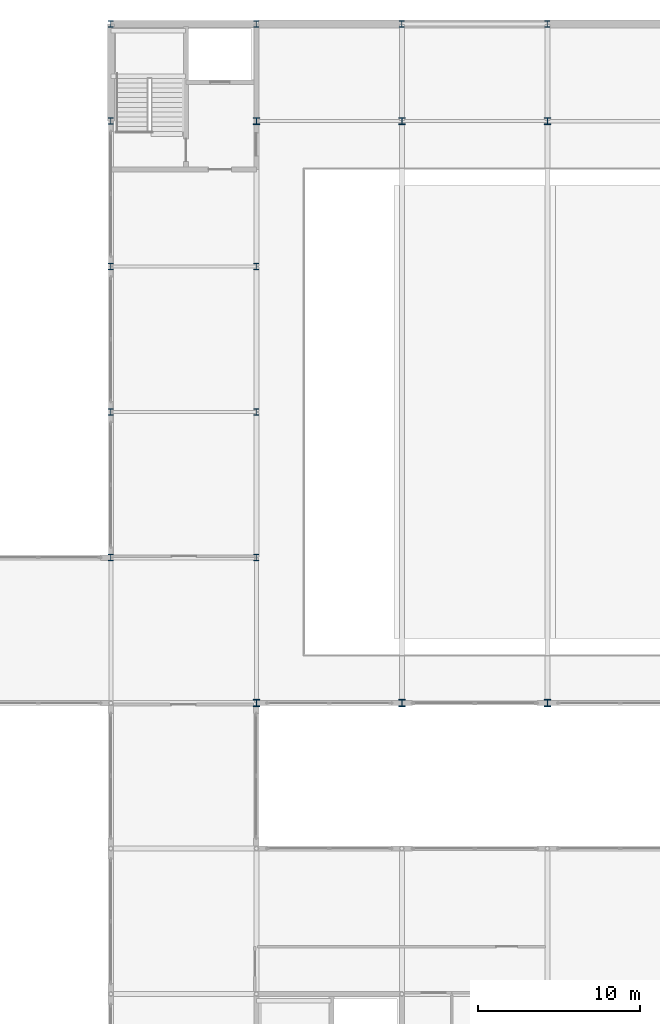
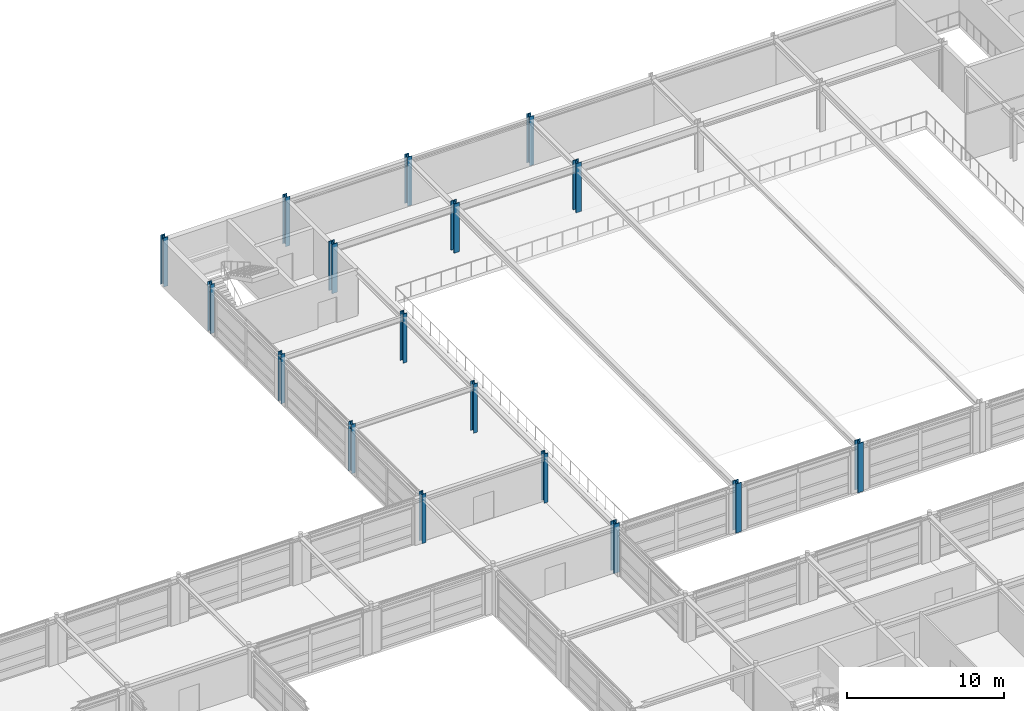
# One storey, part 14 of 79: 17 columns.
"""IFC4 building model written with IfcOpenShell, lengths in metres."""

import ifcopenshell
import ifcopenshell.guid

model = None  # the IFC model being written
_history = None  # IfcOwnerHistory: only IFC2X3 demands one
_inside = {}  # id of a spatial element -> (the spatial element, [elements in it])
_under = {}  # id of a project, library or spatial element -> (it, [spatial elements below it])
_declared = {}  # id of a project -> (the project, [libraries it declares])
_typed = {}  # id of a type object -> (the type object, [elements of that type])
_made_of = {}  # id of a material, layer set ... -> (it, [elements and type objects made of it])


def new_model(schema):
    """Start an empty IFC model of exactly this schema.

    Asked for "IFC4X3", IfcOpenShell would pick the latest addendum, in which some entities
    have other attributes; the version numbers below select the first issue.
    IFC2X3 requires an IfcOwnerHistory on every rooted entity: one is made here for all.
    """
    global model, _history
    if schema == "IFC4X3":
        model = ifcopenshell.file(schema_version=(4, 3, 0, 0))
    else:
        model = ifcopenshell.file(schema=schema)
    _inside.clear()
    _under.clear()
    _declared.clear()
    _typed.clear()
    _made_of.clear()
    _history = None
    if model.schema == "IFC2X3":
        org = make("IfcOrganization", Name="unknown")
        user = make(
            "IfcPersonAndOrganization",
            ThePerson=make("IfcPerson", FamilyName="unknown"),
            TheOrganization=org,
        )
        app = make(
            "IfcApplication",
            ApplicationDeveloper=org,
            Version="unknown",
            ApplicationFullName="unknown",
            ApplicationIdentifier="unknown",
        )
        _history = make(
            "IfcOwnerHistory",
            OwningUser=user,
            OwningApplication=app,
            ChangeAction="ADDED",
            CreationDate=0,
        )
    return model


def make(cls, **values):
    """One entity of the class cls with the attributes given. An attribute that is None is left unset."""
    return model.create_entity(
        cls, **{name: value for name, value in values.items() if value is not None}
    )


def rooted(cls, **values):
    """An entity with a GlobalId (a new one), such as an element, a storey or a relation."""
    return make(cls, GlobalId=ifcopenshell.guid.new(), OwnerHistory=_history, **values)


def si_unit(unit_type, name, prefix=None):
    """IfcSIUnit, for example si_unit("LENGTHUNIT", "METRE", prefix="MILLI")."""
    return make("IfcSIUnit", UnitType=unit_type, Prefix=prefix, Name=name)


def assignment(units):
    """IfcUnitAssignment: the units of a project."""
    return None if units is None else make("IfcUnitAssignment", Units=units)


def point(xyz):
    """IfcCartesianPoint."""
    return None if xyz is None else make("IfcCartesianPoint", Coordinates=xyz)


def direction(xyz):
    """IfcDirection."""
    return None if xyz is None else make("IfcDirection", DirectionRatios=xyz)


def frame(location, z_axis=None, x_axis=None):
    """IfcAxis2Placement3D, a coordinate frame: its origin and axes. An axis left out is left unset."""
    return make(
        "IfcAxis2Placement3D",
        Location=point(location),
        Axis=direction(z_axis),
        RefDirection=direction(x_axis),
    )


def frame_2d(location, x_axis=None):
    """IfcAxis2Placement2D, a coordinate frame in the plane: its origin and x axis."""
    return make(
        "IfcAxis2Placement2D", Location=point(location), RefDirection=direction(x_axis)
    )


def origin():
    """The frame at (0, 0, 0) with its axes left unset."""
    return frame((0.0, 0.0, 0.0))


def origin_2d():
    """The frame at (0, 0) in the plane with its x axis left unset."""
    return frame_2d((0.0, 0.0))


def place(relative_to, where):
    """IfcLocalPlacement: puts the frame where relative to a parent placement (None: the world)."""
    return make(
        "IfcLocalPlacement", PlacementRelTo=relative_to, RelativePlacement=where
    )


def context(
    kind, dimensions, precision=None, world=None, true_north=None, identifier=None
):
    """IfcGeometricRepresentationContext, for example the 3D "Model" context."""
    return make(
        "IfcGeometricRepresentationContext",
        ContextIdentifier=identifier,
        ContextType=kind,
        CoordinateSpaceDimension=dimensions,
        Precision=precision,
        WorldCoordinateSystem=world,
        TrueNorth=true_north,
    )


def subcontext(parent, identifier, kind, view, scale=None):
    """IfcGeometricRepresentationSubContext, for example "Body" below "Model"."""
    return make(
        "IfcGeometricRepresentationSubContext",
        ContextIdentifier=identifier,
        ContextType=kind,
        ParentContext=parent,
        TargetScale=scale,
        TargetView=view,
    )


def project(units=None, contexts=None):
    """IfcProject with its units and contexts."""
    return rooted(
        "IfcProject",
        Name="project",
        RepresentationContexts=contexts,
        UnitsInContext=assignment(units),
    )


def spatial(cls, under=None, at=None, **own):
    """A site, building, storey or space (cls), placed at a placement, below another one or the project."""
    s = rooted(cls, ObjectPlacement=at, **own)
    if under is not None:
        _under.setdefault(under.id(), (under, []))[1].append(s)
    return s


def profile(cls, at=None, kind="AREA", **sizes):
    """A parametric profile (cls). Its sizes go by their IFC names, for example OverallWidth=200.0."""
    return make(cls, ProfileType=kind, Position=at, **sizes)


def i_section(**sizes):
    """IfcIShapeProfileDef."""
    return profile("IfcIShapeProfileDef", **sizes)


def extrude(swept, where, along, depth):
    """IfcExtrudedAreaSolid: the profile swept, set in the frame where, extruded along a direction by depth."""
    return make(
        "IfcExtrudedAreaSolid",
        SweptArea=swept,
        Position=where,
        ExtrudedDirection=direction(along),
        Depth=depth,
    )


def shape(context_of_items, identifier, shape_type, items):
    """IfcShapeRepresentation: the items that make up one representation, for example the "Body"."""
    return make(
        "IfcShapeRepresentation",
        ContextOfItems=context_of_items,
        RepresentationIdentifier=identifier,
        RepresentationType=shape_type,
        Items=items,
    )


def material(Name=None, Category=None):
    """IfcMaterial."""
    return make("IfcMaterial", Name=Name, Category=Category)


def material_profile(
    of_material, cross_section, Name=None, Category=None, Priority=None
):
    """IfcMaterialProfile: a cross section and its material."""
    return make(
        "IfcMaterialProfile",
        Name=Name,
        Material=of_material,
        Profile=cross_section,
        Priority=Priority,
        Category=Category,
    )


def profile_set(profiles, Name=None, composite=None):
    """IfcMaterialProfileSet."""
    return make(
        "IfcMaterialProfileSet",
        Name=Name,
        MaterialProfiles=profiles,
        CompositeProfile=composite,
    )


def made_of(thing, what):
    """Note that an element or type object is made of a material, layer set ...; save() writes the relation."""
    if what is not None:
        _made_of.setdefault(what.id(), (what, []))[1].append(thing)
    return thing


def type_object(cls, material=None, **own):
    """A type object (cls), such as IfcWallType, which elements share."""
    return made_of(rooted(cls, **own), material)


def element(
    cls,
    number,
    at=None,
    inside=None,
    cuts=None,
    type_object=None,
    material=None,
    context=None,
    identifier="Body",
    shape_type=None,
    held_by="IfcProductDefinitionShape",
    body=None,
    shapes=None,
    **own,
):
    """One element of the class cls, such as IfcWall. Its Tag is "e" and its number.

    at: its placement. inside: the storey or other place that contains it. cuts: it is an
    opening in that element (IfcRelVoidsElement). A single representation is given by context,
    identifier, shape_type and body (its items); several are given by shapes. held_by: the class
    of the entity that holds the representations. save() writes the other relations.
    """
    e = rooted(cls, Tag="e%d" % number, ObjectPlacement=at, **own)
    if body is not None:
        shapes = [shape(context, identifier, shape_type, body)]
    if shapes is not None:
        e.Representation = make(held_by, Representations=shapes)
    if inside is not None:
        _inside.setdefault(inside.id(), (inside, []))[1].append(e)
    if cuts is not None:
        rooted(
            "IfcRelVoidsElement", RelatingBuildingElement=cuts, RelatedOpeningElement=e
        )
    if type_object is not None:
        _typed.setdefault(type_object.id(), (type_object, []))[1].append(e)
    return made_of(e, material)


def aggregate(whole, parts):
    """IfcRelAggregates: a whole, such as a stair, and the parts it consists of."""
    return rooted("IfcRelAggregates", RelatingObject=whole, RelatedObjects=parts)


def save(model, path):
    """Write the relations noted so far, then the file.

    IfcRelAggregates (storeys below a building ...), IfcRelContainedInSpatialStructure (elements
    in a storey), IfcRelDefinesByType, IfcRelAssociatesMaterial and IfcRelDeclares: one each for
    every whole, place, type object, material and project.
    """
    for whole, parts in _under.values():
        aggregate(whole, parts)
    for where, things in _inside.values():
        rooted(
            "IfcRelContainedInSpatialStructure",
            RelatedElements=things,
            RelatingStructure=where,
        )
    for kind, things in _typed.values():
        rooted("IfcRelDefinesByType", RelatedObjects=things, RelatingType=kind)
    for what, things in _made_of.values():
        rooted("IfcRelAssociatesMaterial", RelatedObjects=things, RelatingMaterial=what)
    for by, libraries in _declared.values():
        rooted("IfcRelDeclares", RelatingContext=by, RelatedDefinitions=libraries)
    model.write(path)


model = new_model("IFC4")

# Units and contexts
model_context = context("Model", 3, precision=1e-05, world=origin(), true_north=direction((0.0, 1.0)))
body_context = subcontext(model_context, "Body", "Model", "MODEL_VIEW")
ifc_project = project(units=[si_unit("LENGTHUNIT", "METRE"), si_unit("AREAUNIT", "SQUARE_METRE"), si_unit("VOLUMEUNIT", "CUBIC_METRE"), si_unit("PLANEANGLEUNIT", "RADIAN"), si_unit("MASSUNIT", "GRAM", prefix="KILO")], contexts=[model_context])

# Site, building, storey
site_placement = place(None, origin())
site = spatial("IfcSite", under=ifc_project, at=site_placement, CompositionType="ELEMENT")
building_placement = place(site_placement, origin())
building = spatial("IfcBuilding", under=site, at=building_placement, Name="Palais des Congres Ocreval", CompositionType="ELEMENT")
storey_placement = place(building_placement, frame((0.0, 0.0, 4.320068359375)))
storey = spatial("IfcBuildingStorey", under=building, at=storey_placement, Name="L01", CompositionType="ELEMENT", Elevation=4.320068359375)

# Columns
ifc_material_1 = material(Name="Steel S460", Category="steel")
ifc_material_profile_1 = material_profile(ifc_material_1, i_section(OverallWidth=0.412109375, OverallDepth=0.43505859375, WebThickness=0.027099609375, FlangeThickness=0.0458984375, at=origin_2d()), Name="HD 400x463")
ifc_profile_set_1 = profile_set([ifc_material_profile_1], Name="Steel S460")
column_type_1 = type_object("IfcColumnType", Name="Column HD 400x463 Steel S460", PredefinedType="COLUMN", material=ifc_profile_set_1)
for number, where, z_axis, x_axis, name in (
    (1, (108.0, 72.0, 0.0), (0.0, 0.0, 1.0), (1.0, 0.0, 0.0), "Column C02 L01"),
    (2, (108.0, 108.0, 0.0), (0.0, 0.0, 1.0), (1.0, 0.0, 0.0), "Column C02 L01"),
    (3, (117.0, 72.0, 0.0), (0.0, 0.0, 1.0), (1.0, 0.0, 0.0), "Column C02 L01"),
    (4, (117.0, 108.0, 0.0), (0.0, 0.0, 1.0), (1.0, 0.0, 0.0), "Column C02 L01"),
    (5, (126.0, 72.0, 0.0), (0.0, 0.0, 1.0), (1.0, 0.0, 0.0), "Column C02 L01"),
    (6, (126.0, 108.0, 0.0), (0.0, 0.0, 1.0), (1.0, 0.0, 0.0), "Column C02 L01"),
):
    element("IfcColumn", number, at=place(storey_placement, frame(where, z_axis=z_axis, x_axis=x_axis)), inside=storey, type_object=column_type_1, Name=name, PredefinedType="COLUMN", context=body_context, shape_type="SweptSolid", body=[
        extrude(i_section(OverallWidth=0.412109375, OverallDepth=0.43505859375, WebThickness=0.027099609375, FlangeThickness=0.0458984375, at=origin_2d()), origin(), (0.0, 0.0, 1.0), 3.83984375),
    ])
ifc_material_2 = material(Name="Steel S355", Category="steel")
ifc_material_profile_2 = material_profile(ifc_material_2, i_section(OverallWidth=0.300048828125, OverallDepth=0.39990234375, WebThickness=0.013427734375, FlangeThickness=0.02392578125, at=origin_2d()), Name="HEB 400")
ifc_profile_set_2 = profile_set([ifc_material_profile_2], Name="Steel S355")
column_type_2 = type_object("IfcColumnType", Name="Column HEB 400 Steel S355", PredefinedType="COLUMN", material=ifc_profile_set_2)
for number, where, z_axis, x_axis, name in (
    (7, (99.0, 81.0, 0.0), (0.0, 0.0, 1.0), (1.0, 0.0, 0.0), "Column C10 L01"),
    (8, (99.0, 90.0, 0.0), (0.0, 0.0, 1.0), (1.0, 0.0, 0.0), "Column C10 L01"),
    (9, (99.0, 99.0, 0.0), (0.0, 0.0, 1.0), (1.0, 0.0, 0.0), "Column C10 L01"),
    (10, (99.0, 108.0, 0.0), (0.0, 0.0, 1.0), (1.0, 0.0, 0.0), "Column C10 L01"),
    (11, (99.0, 114.0, 0.0), (0.0, 0.0, 1.0), (1.0, 0.0, 0.0), "Column C10 L01"),
    (12, (108.0, 81.0, 0.0), (0.0, 0.0, 1.0), (1.0, 0.0, 0.0), "Column C10 L01"),
    (13, (108.0, 90.0, 0.0), (0.0, 0.0, 1.0), (1.0, 0.0, 0.0), "Column C10 L01"),
    (14, (108.0, 99.0, 0.0), (0.0, 0.0, 1.0), (1.0, 0.0, 0.0), "Column C10 L01"),
    (15, (108.0, 114.0, 0.0), (0.0, 0.0, 1.0), (1.0, 0.0, 0.0), "Column C10 L01"),
    (16, (117.0, 114.0, 0.0), (0.0, 0.0, 1.0), (1.0, 0.0, 0.0), "Column C10 L01"),
    (17, (126.0, 114.0, 0.0), (0.0, 0.0, 1.0), (1.0, 0.0, 0.0), "Column C10 L01"),
):
    element("IfcColumn", number, at=place(storey_placement, frame(where, z_axis=z_axis, x_axis=x_axis)), inside=storey, type_object=column_type_2, Name=name, PredefinedType="COLUMN", context=body_context, shape_type="SweptSolid", body=[
        extrude(i_section(OverallWidth=0.300048828125, OverallDepth=0.39990234375, WebThickness=0.013427734375, FlangeThickness=0.02392578125, at=origin_2d()), origin(), (0.0, 0.0, 1.0), 3.83984375),
    ])

save(model, "model.ifc")
